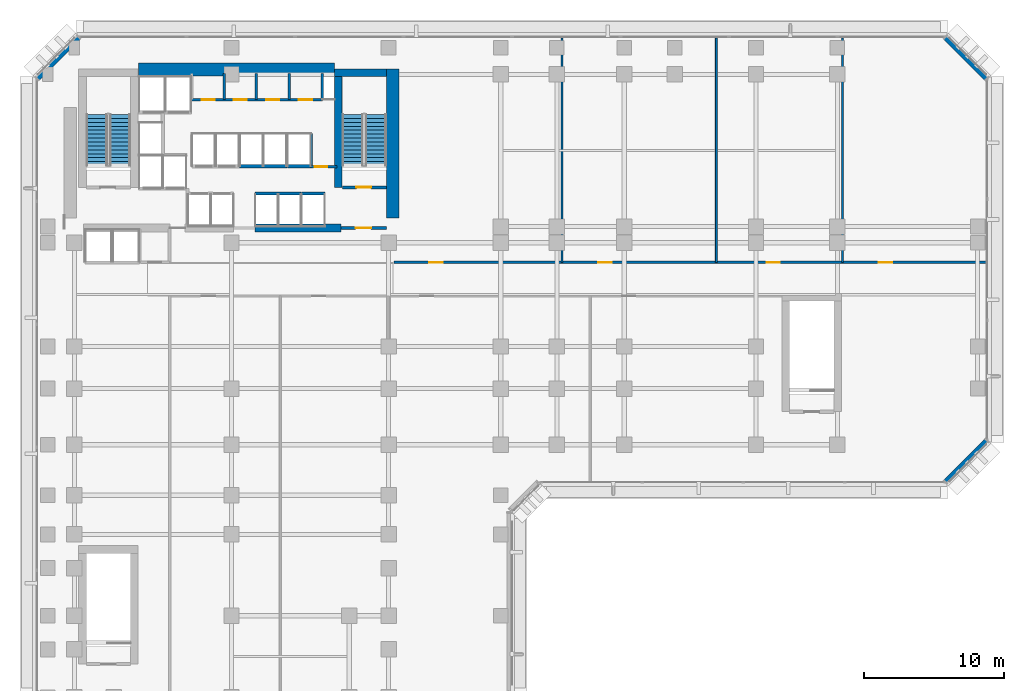
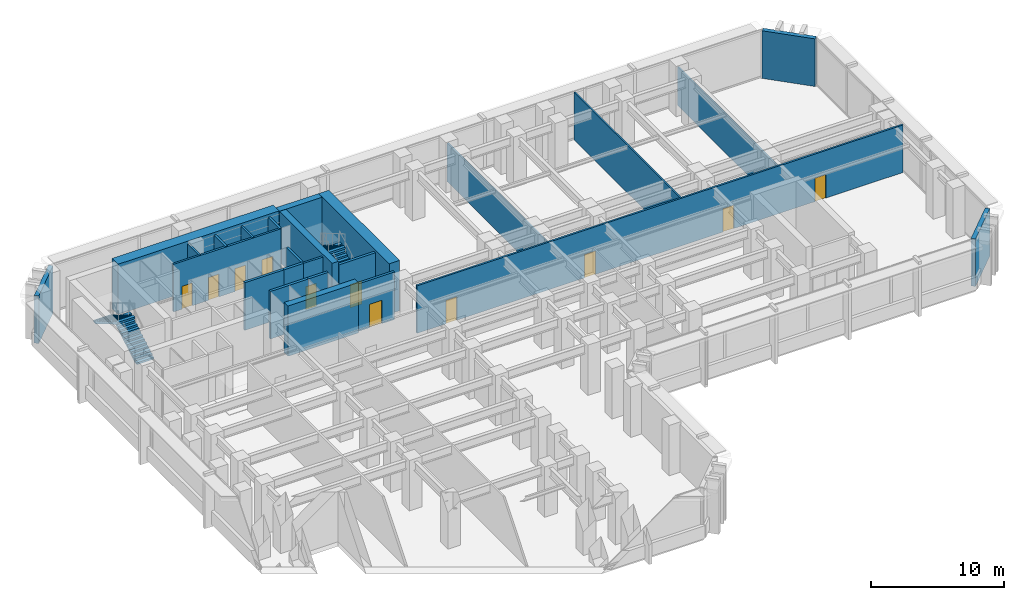
# One storey, part 8 of 14: 25 walls, 11 doors, 4 stair flights, 11 openings, 2 elements without a shape of their own.
"""IFC4 building model written with IfcOpenShell, lengths in metres."""

from ifc_helpers import new_model, si_unit, direction, frame, frame_2d, origin, place, context, subcontext, project, spatial, polyline, rectangle, outline, extrude, material, layer, layer_set, type_object, element, fill, aggregate, save


model = new_model("IFC4")

# Units and contexts
model_context = context("Model", 3, precision=1e-05, world=origin(), true_north=direction((0.0, 1.0)))
body_context = subcontext(model_context, "Body", "Model", "MODEL_VIEW")
ifc_project = project(units=[si_unit("LENGTHUNIT", "METRE"), si_unit("AREAUNIT", "SQUARE_METRE"), si_unit("VOLUMEUNIT", "CUBIC_METRE"), si_unit("PLANEANGLEUNIT", "RADIAN"), si_unit("MASSUNIT", "GRAM", prefix="KILO")], contexts=[model_context])

# Site, building, storey
site_placement = place(None, origin())
site = spatial("IfcSite", under=ifc_project, at=site_placement, CompositionType="ELEMENT")
building_placement = place(site_placement, origin())
building = spatial("IfcBuilding", under=site, at=building_placement, Name="Kefirva Bronze Tower", CompositionType="ELEMENT")
storey_placement = place(building_placement, frame((0.0, 0.0, 25.739990234375)))
storey = spatial("IfcBuildingStorey", under=building, at=storey_placement, Name="L05", CompositionType="ELEMENT", Elevation=25.739990234375)

# Walls
ifc_material_1 = material(Name="Gypsum acoustic partition")
ifc_layer_1 = layer(ifc_material_1, 0.1298828125, Name="Gypsum acoustic partition")
ifc_layer_set_1 = layer_set([ifc_layer_1], Name="Gypsum acoustic partition")
wall_type_1 = type_object("IfcWallType", Name="Acoustic Office Partition 130mm", PredefinedType="PARTITIONING", material=ifc_layer_set_1)
wall_1_placement = place(storey_placement, frame((35.570068359375, 31.800048828125, 0.0), z_axis=(0.0, 0.0, 1.0), x_axis=(0.0, 1.0, 0.0)))
element("IfcWall", 1, at=wall_1_placement, inside=storey, type_object=wall_type_1, Name="L05 Partition W-L05-NDV1", PredefinedType="PARTITIONING", context=body_context, shape_type="SweptSolid", body=[
    extrude(rectangle(XDim=16.010009765625, YDim=0.1298828125, at=frame_2d((8.0048828125, 0.0))), origin(), (0.0, 0.0, 1.0), 3.554931640625),
])
wall_2_placement = place(storey_placement, frame((46.570068359375, 31.800048828125, 0.0), z_axis=(0.0, 0.0, 1.0), x_axis=(0.0, 1.0, 0.0)))
element("IfcWall", 2, at=wall_2_placement, inside=storey, type_object=wall_type_1, Name="L05 Partition W-L05-NDV2", PredefinedType="PARTITIONING", context=body_context, shape_type="SweptSolid", body=[
    extrude(rectangle(XDim=16.010009765625, YDim=0.1298828125, at=frame_2d((8.0048828125, 0.0))), origin(), (0.0, 0.0, 1.0), 4.3701171875),
])
wall_3_placement = place(storey_placement, frame((55.570068359375, 31.800048828125, 0.0), z_axis=(0.0, 0.0, 1.0), x_axis=(0.0, 1.0, 0.0)))
element("IfcWall", 3, at=wall_3_placement, inside=storey, type_object=wall_type_1, Name="L05 Partition W-L05-NDV3", PredefinedType="PARTITIONING", context=body_context, shape_type="SweptSolid", body=[
    extrude(rectangle(XDim=16.010009765625, YDim=0.1298828125, at=frame_2d((8.0048828125, 0.0))), origin(), (0.0, 0.0, 1.0), 3.554931640625),
])

# Wall, opening, door
ifc_material_2 = material(Name="Gypsum fireboard shaftwall")
ifc_layer_2 = layer(ifc_material_2, 0.219970703125, Name="Gypsum fireboard shaftwall")
ifc_layer_set_2 = layer_set([ifc_layer_2], Name="Gypsum fireboard shaftwall")
wall_type_2 = type_object("IfcWallType", Name="Fire-Rated Shaft Enclosure Wall 220mm", PredefinedType="PARTITIONING", material=ifc_layer_set_2)
wall_4_placement = place(storey_placement, frame((19.89990234375, 37.14990234375, 0.0), z_axis=(0.0, 0.0, 1.0), x_axis=(1.0, 0.0, 0.0)))
wall_4 = element("IfcWall", 4, at=wall_4_placement, inside=storey, type_object=wall_type_2, Name="L05 Partition W-L05-ST2S", PredefinedType="PARTITIONING", context=body_context, shape_type="SweptSolid", body=[
    extrude(rectangle(XDim=3.150146484375, YDim=0.219970703125, at=frame_2d((1.5751953125, 0.0))), origin(), (0.0, 0.0, 1.0), 4.3701171875),
])
opening_1_placement = place(wall_4_placement, frame((2.050048828125, 0.0, 0.0), z_axis=(0.0, 0.0, 1.0), x_axis=(-1.0, 0.0, 0.0)))
opening_1 = element("IfcOpeningElement", 5, at=opening_1_placement, cuts=wall_4, Name="Opening L05-D003", PredefinedType="OPENING", context=body_context, shape_type="SweptSolid", body=[
    extrude(rectangle(XDim=1.050048828125, YDim=2.14990234375, at=frame_2d((0.52490234375, 1.074951171875))), frame((0.0, 0.1201171875, 0.0), z_axis=(0.0, -1.0, 0.0), x_axis=(1.0, 0.0, 0.0)), (0.0, 0.0, 1.0), 0.239990234375),
])
ifc_material_3 = material(Name="Painted galvanized steel", Category="steel")
door_type_1 = type_object("IfcDoorType", Name="Fire Stair Enclosure Door 1050x2150 FD90S", OperationType="NOTDEFINED", PredefinedType="DOOR", material=ifc_material_3)
door_1_placement = place(opening_1_placement, origin())
door_1 = element("IfcDoor", 6, at=door_1_placement, inside=storey, type_object=door_type_1, Name="Door L05-D003", OperationType="SINGLE_SWING_LEFT", OverallHeight=2.14990234375, OverallWidth=1.050048828125, PredefinedType="DOOR", context=body_context, shape_type="SweptSolid", body=[
    extrude(rectangle(XDim=1.050048828125, YDim=2.14990234375, at=frame_2d((0.52490234375, 1.074951171875))), frame((0.0, 0.02490234375, 0.0), z_axis=(0.0, -1.0, 0.0), x_axis=(1.0, 0.0, 0.0)), (0.0, 0.0, 1.0), 0.050048828125),
])
fill(opening_1, door_1)

# Walls
wall_5_placement = place(storey_placement, frame((17.679931640625, 38.64990234375, 0.0), z_axis=(0.0, 0.0, 1.0), x_axis=(0.0, 1.0, 0.0)))
element("IfcWall", 7, at=wall_5_placement, inside=storey, type_object=wall_type_2, Name="L05 Partition W-L05-HP2E", PredefinedType="PARTITIONING", context=body_context, shape_type="SweptSolid", body=[
    extrude(rectangle(XDim=2.35009765625, YDim=0.199951171875, at=frame_2d((1.175048828125, 0.0))), origin(), (0.0, 0.0, 1.0), 4.3701171875),
])
wall_6_placement = place(storey_placement, frame((13.679931640625, 36.699951171875, 0.0), z_axis=(0.0, 0.0, 1.0), x_axis=(1.0, 0.0, 0.0)))
element("IfcWall", 8, at=wall_6_placement, inside=storey, type_object=wall_type_2, Name="L05 Partition W-L05-MPS", PredefinedType="PARTITIONING", context=body_context, shape_type="SweptSolid", body=[
    extrude(rectangle(XDim=3.280029296875, YDim=0.219970703125, at=frame_2d((1.64013671875, 0.0))), origin(), (0.0, 0.0, 1.0), 4.3701171875),
])
wall_7_placement = place(storey_placement, frame((12.580078125, 38.64990234375, 0.0), z_axis=(0.0, 0.0, 1.0), x_axis=(1.0, 0.0, 0.0)))
element("IfcWall", 9, at=wall_7_placement, inside=storey, type_object=wall_type_2, Name="L05 Partition W-L05-MPN", PredefinedType="PARTITIONING", context=body_context, shape_type="SweptSolid", body=[
    extrude(rectangle(XDim=3.3798828125, YDim=0.219970703125, at=frame_2d((1.68994140625, 0.0))), origin(), (0.0, 0.0, 1.0), 4.3701171875),
])
wall_8_placement = place(storey_placement, frame((16.97998046875, 36.699951171875, 0.0), z_axis=(0.0, 0.0, 1.0), x_axis=(1.0, 0.0, 0.0)))
element("IfcWall", 10, at=wall_8_placement, inside=storey, type_object=wall_type_2, Name="L05 Partition W-L05-HPS", PredefinedType="PARTITIONING", context=body_context, shape_type="SweptSolid", body=[
    extrude(rectangle(XDim=1.699951171875, YDim=0.219970703125, at=frame_2d((0.85009765625, 0.0))), origin(), (0.0, 0.0, 1.0), 4.3701171875),
])
wall_9_placement = place(storey_placement, frame((15.97998046875, 38.64990234375, 0.0), z_axis=(0.0, 0.0, 1.0), x_axis=(1.0, 0.0, 0.0)))
element("IfcWall", 11, at=wall_9_placement, inside=storey, type_object=wall_type_2, Name="L05 Partition W-L05-HPN", PredefinedType="PARTITIONING", context=body_context, shape_type="SweptSolid", body=[
    extrude(rectangle(XDim=1.719970703125, YDim=0.219970703125, at=frame_2d((0.85986328125, 0.0))), origin(), (0.0, 0.0, 1.0), 4.3701171875),
])

# Wall, opening, door
ifc_material_4 = material(Name="Gypsum fireboard barrier")
ifc_layer_3 = layer(ifc_material_4, 0.199951171875, Name="Gypsum fireboard barrier")
ifc_layer_set_3 = layer_set([ifc_layer_3], Name="Gypsum fireboard barrier")
wall_type_3 = type_object("IfcWallType", Name="Firefighting Lobby Barrier Wall 200mm", PredefinedType="PARTITIONING", material=ifc_layer_set_3)
wall_10_placement = place(storey_placement, frame((19.800048828125, 34.25, 0.0), z_axis=(0.0, 0.0, 1.0), x_axis=(1.0, 0.0, 0.0)))
wall_10 = element("IfcWall", 12, at=wall_10_placement, inside=storey, type_object=wall_type_3, Name="L05 Partition W-L05-ST2F", PredefinedType="PARTITIONING", context=body_context, shape_type="SweptSolid", body=[
    extrude(rectangle(XDim=3.25, YDim=0.199951171875, at=frame_2d((1.625, 0.0))), origin(), (0.0, 0.0, 1.0), 4.3701171875),
])
opening_2_placement = place(wall_10_placement, frame((2.150146484375, 0.0, 0.0), z_axis=(0.0, 0.0, 1.0), x_axis=(-1.0, 0.0, 0.0)))
opening_2 = element("IfcOpeningElement", 13, at=opening_2_placement, cuts=wall_10, Name="Opening L05-D004", PredefinedType="OPENING", context=body_context, shape_type="SweptSolid", body=[
    extrude(rectangle(XDim=1.10009765625, YDim=2.14990234375, at=frame_2d((0.550048828125, 1.074951171875))), frame((0.0, 0.10986328125, 0.0), z_axis=(0.0, -1.0, 0.0), x_axis=(1.0, 0.0, 0.0)), (0.0, 0.0, 1.0), 0.219970703125),
])
door_type_2 = type_object("IfcDoorType", Name="Firefighting Lobby Smoke Door 1100x2150 FD60S", OperationType="NOTDEFINED", PredefinedType="DOOR", material=ifc_material_3)
door_2_placement = place(opening_2_placement, origin())
door_2 = element("IfcDoor", 14, at=door_2_placement, inside=storey, type_object=door_type_2, Name="Door L05-D004", OperationType="SINGLE_SWING_RIGHT", OverallHeight=2.14990234375, OverallWidth=1.10009765625, PredefinedType="DOOR", context=body_context, shape_type="SweptSolid", body=[
    extrude(rectangle(XDim=1.10009765625, YDim=2.14990234375, at=frame_2d((0.550048828125, 1.074951171875))), frame((0.0, 0.02490234375, 0.0), z_axis=(0.0, -1.0, 0.0), x_axis=(1.0, 0.0, 0.0)), (0.0, 0.0, 1.0), 0.050048828125),
])
fill(opening_2, door_2)

wall_11_placement = place(storey_placement, frame((17.679931640625, 38.6201171875, 0.0), z_axis=(0.0, 0.0, 1.0), x_axis=(1.0, 0.0, 0.0)))
wall_11 = element("IfcWall", 15, at=wall_11_placement, inside=storey, type_object=wall_type_3, Name="L05 Partition W-L05-CPASS", PredefinedType="PARTITIONING", context=body_context, shape_type="SweptSolid", body=[
    extrude(rectangle(XDim=1.840087890625, YDim=0.179931640625, at=frame_2d((0.919921875, 0.0))), origin(), (0.0, 0.0, 1.0), 4.3701171875),
])
opening_3_placement = place(wall_11_placement, frame((0.239990234375, 0.0, 0.0)))
opening_3 = element("IfcOpeningElement", 16, at=opening_3_placement, cuts=wall_11, Name="Opening L05-D-CPAS", PredefinedType="OPENING", context=body_context, shape_type="SweptSolid", body=[
    extrude(rectangle(XDim=0.919921875, YDim=2.10009765625, at=frame_2d((0.4599609375, 1.050048828125))), frame((0.0, 0.10009765625, 0.0), z_axis=(0.0, -1.0, 0.0), x_axis=(1.0, 0.0, 0.0)), (0.0, 0.0, 1.0), 0.199951171875),
])
ifc_material_5 = material(Name="Moisture-resistant timber", Category="wood")
door_type_3 = type_object("IfcDoorType", Name="Accessible Sanitary & WC Door 920x2100", OperationType="NOTDEFINED", PredefinedType="DOOR", material=ifc_material_5)
door_3_placement = place(opening_3_placement, origin())
door_3 = element("IfcDoor", 17, at=door_3_placement, inside=storey, type_object=door_type_3, Name="Door L05-D-CPAS", OperationType="SINGLE_SWING_LEFT", OverallHeight=2.10009765625, OverallWidth=0.919921875, PredefinedType="DOOR", context=body_context, shape_type="SweptSolid", body=[
    extrude(rectangle(XDim=0.919921875, YDim=2.10009765625, at=frame_2d((0.4599609375, 1.050048828125))), frame((0.0, 0.02490234375, 0.0), z_axis=(0.0, -1.0, 0.0), x_axis=(1.0, 0.0, 0.0)), (0.0, 0.0, 1.0), 0.050048828125),
])
fill(opening_3, door_3)

# Walls
ifc_material_6 = material(Name="Precast concrete C40/50", Category="concrete")
ifc_layer_4 = layer(ifc_material_6, 0.360107421875, Name="Precast concrete C40/50")
ifc_layer_set_4 = layer_set([ifc_layer_4], Name="Precast concrete C40/50")
wall_type_4 = type_object("IfcWallType", Name="Precast Podium Facade Wall 360mm", PredefinedType="SOLIDWALL", material=ifc_layer_set_4)
for number, where, z_axis, x_axis, name in (
    (18, (62.91162109375, 16.166259765625, 0.0), (0.0, 0.0, 1.0), (0.707106781187, 0.707106781187, 0.0), "L05 Exterior Facade Wall 4"),
    (19, (65.833740234375, 44.91162109375, 0.0), (0.0, 0.0, 1.0), (-0.707106781187, 0.707106781187, 0.0), "L05 Exterior Facade Wall 5"),
    (20, (1.08837890625, 47.833740234375, 0.0), (0.0, 0.0, 1.0), (-0.707106781187, -0.707106781187, 0.0), "L05 Exterior Facade Wall 6"),
):
    element("IfcWall", number, at=place(storey_placement, frame(where, z_axis=z_axis, x_axis=x_axis)), inside=storey, type_object=wall_type_4, Name=name, PredefinedType="SOLIDWALL", context=body_context, shape_type="SweptSolid", body=[
        extrude(rectangle(XDim=4.132568359375, YDim=0.360107421875, at=frame_2d((2.06640625, 0.0))), origin(), (0.0, 0.0, 1.0), 4.3701171875),
    ])

# Wall, openings, doors
ifc_layer_5 = layer(ifc_material_1, 0.159912109375, Name="Gypsum acoustic partition")
ifc_layer_set_5 = layer_set([ifc_layer_5], Name="Gypsum acoustic partition")
wall_type_5 = type_object("IfcWallType", Name="Protected Corridor Partition 160mm", PredefinedType="PARTITIONING", material=ifc_layer_set_5)
wall_12_placement = place(storey_placement, frame((23.60009765625, 31.800048828125, 0.0), z_axis=(0.0, 0.0, 1.0), x_axis=(1.0, 0.0, 0.0)))
wall_12 = element("IfcWall", 21, at=wall_12_placement, inside=storey, type_object=wall_type_5, Name="L05 Partition W-L05-N", PredefinedType="PARTITIONING", context=body_context, shape_type="SweptSolid", body=[
    extrude(rectangle(XDim=42.2099609375, YDim=0.159912109375, at=frame_2d((21.10498046875, 0.0))), origin(), (0.0, 0.0, 1.0), 4.3701171875),
])
opening_4_placement = place(wall_12_placement, frame((2.5, 0.0, 0.0)))
opening_4 = element("IfcOpeningElement", 22, at=opening_4_placement, cuts=wall_12, Name="Opening L05-D-N1", PredefinedType="OPENING", context=body_context, shape_type="SweptSolid", body=[
    extrude(rectangle(XDim=0.949951171875, YDim=2.14990234375, at=frame_2d((0.47509765625, 1.074951171875))), frame((0.0, 0.08984375, 0.0), z_axis=(0.0, -1.0, 0.0), x_axis=(1.0, 0.0, 0.0)), (0.0, 0.0, 1.0), 0.179931640625),
])
opening_5_placement = place(wall_12_placement, frame((14.550048828125, 0.0, 0.0)))
opening_5 = element("IfcOpeningElement", 23, at=opening_5_placement, cuts=wall_12, Name="Opening L05-D-N2", PredefinedType="OPENING", context=body_context, shape_type="SweptSolid", body=[
    extrude(rectangle(XDim=0.949951171875, YDim=2.14990234375, at=frame_2d((0.47509765625, 1.074951171875))), frame((0.0, 0.08984375, 0.0), z_axis=(0.0, -1.0, 0.0), x_axis=(1.0, 0.0, 0.0)), (0.0, 0.0, 1.0), 0.179931640625),
])
opening_6_placement = place(wall_12_placement, frame((26.550048828125, 0.0, 0.0)))
opening_6 = element("IfcOpeningElement", 24, at=opening_6_placement, cuts=wall_12, Name="Opening L05-D-N3", PredefinedType="OPENING", context=body_context, shape_type="SweptSolid", body=[
    extrude(rectangle(XDim=0.949951171875, YDim=2.14990234375, at=frame_2d((0.47509765625, 1.074951171875))), frame((0.0, 0.08984375, 0.0), z_axis=(0.0, -1.0, 0.0), x_axis=(1.0, 0.0, 0.0)), (0.0, 0.0, 1.0), 0.179931640625),
])
opening_7_placement = place(wall_12_placement, frame((34.550048828125, 0.0, 0.0)))
opening_7 = element("IfcOpeningElement", 25, at=opening_7_placement, cuts=wall_12, Name="Opening L05-D-N4", PredefinedType="OPENING", context=body_context, shape_type="SweptSolid", body=[
    extrude(rectangle(XDim=0.949951171875, YDim=2.14990234375, at=frame_2d((0.47509765625, 1.074951171875))), frame((0.0, 0.08984375, 0.0), z_axis=(0.0, -1.0, 0.0), x_axis=(1.0, 0.0, 0.0)), (0.0, 0.0, 1.0), 0.179931640625),
])
ifc_material_7 = material(Name="Acoustic hardwood oak", Category="wood")
door_type_4 = type_object("IfcDoorType", Name="Office & Meeting Room Door 950x2150", OperationType="NOTDEFINED", PredefinedType="DOOR", material=ifc_material_7)
door_4_placement = place(opening_4_placement, origin())
door_4 = element("IfcDoor", 26, at=door_4_placement, inside=storey, type_object=door_type_4, Name="Door L05-D-N1", OperationType="SINGLE_SWING_LEFT", OverallHeight=2.14990234375, OverallWidth=0.949951171875, PredefinedType="DOOR", context=body_context, shape_type="SweptSolid", body=[
    extrude(rectangle(XDim=0.949951171875, YDim=2.14990234375, at=frame_2d((0.47509765625, 1.074951171875))), frame((0.0, 0.02490234375, 0.0), z_axis=(0.0, -1.0, 0.0), x_axis=(1.0, 0.0, 0.0)), (0.0, 0.0, 1.0), 0.050048828125),
])
fill(opening_4, door_4)
door_5_placement = place(opening_5_placement, origin())
door_5 = element("IfcDoor", 27, at=door_5_placement, inside=storey, type_object=door_type_4, Name="Door L05-D-N2", OperationType="SINGLE_SWING_RIGHT", OverallHeight=2.14990234375, OverallWidth=0.949951171875, PredefinedType="DOOR", context=body_context, shape_type="SweptSolid", body=[
    extrude(rectangle(XDim=0.949951171875, YDim=2.14990234375, at=frame_2d((0.47509765625, 1.074951171875))), frame((0.0, 0.02490234375, 0.0), z_axis=(0.0, -1.0, 0.0), x_axis=(1.0, 0.0, 0.0)), (0.0, 0.0, 1.0), 0.050048828125),
])
fill(opening_5, door_5)
door_6_placement = place(opening_6_placement, origin())
door_6 = element("IfcDoor", 28, at=door_6_placement, inside=storey, type_object=door_type_4, Name="Door L05-D-N3", OperationType="SINGLE_SWING_LEFT", OverallHeight=2.14990234375, OverallWidth=0.949951171875, PredefinedType="DOOR", context=body_context, shape_type="SweptSolid", body=[
    extrude(rectangle(XDim=0.949951171875, YDim=2.14990234375, at=frame_2d((0.47509765625, 1.074951171875))), frame((0.0, 0.02490234375, 0.0), z_axis=(0.0, -1.0, 0.0), x_axis=(1.0, 0.0, 0.0)), (0.0, 0.0, 1.0), 0.050048828125),
])
fill(opening_6, door_6)
door_7_placement = place(opening_7_placement, origin())
door_7 = element("IfcDoor", 29, at=door_7_placement, inside=storey, type_object=door_type_4, Name="Door L05-D-N4", OperationType="SINGLE_SWING_RIGHT", OverallHeight=2.14990234375, OverallWidth=0.949951171875, PredefinedType="DOOR", context=body_context, shape_type="SweptSolid", body=[
    extrude(rectangle(XDim=0.949951171875, YDim=2.14990234375, at=frame_2d((0.47509765625, 1.074951171875))), frame((0.0, 0.02490234375, 0.0), z_axis=(0.0, -1.0, 0.0), x_axis=(1.0, 0.0, 0.0)), (0.0, 0.0, 1.0), 0.050048828125),
])
fill(opening_7, door_7)

# Walls
ifc_material_8 = material(Name="Concrete C50/60", Category="concrete")
ifc_layer_6 = layer(ifc_material_8, 0.550048828125, Name="Concrete C50/60")
ifc_layer_set_6 = layer_set([ifc_layer_6], Name="Concrete C50/60")
wall_type_6 = type_object("IfcWallType", Name="RC Rear Core Interior Wall 550mm", PredefinedType="SHEAR", material=ifc_layer_set_6)
wall_13_placement = place(storey_placement, frame((19.6201171875, 37.14990234375, 0.0), z_axis=(0.0, 0.0, 1.0), x_axis=(0.0, 1.0, 0.0)))
element("IfcWall", 30, at=wall_13_placement, inside=storey, type_object=wall_type_6, Name="L05 Stair 2 West Shear Wall", PredefinedType="SHEAR", context=body_context, shape_type="SweptSolid", body=[
    extrude(rectangle(XDim=7.89013671875, YDim=0.550048828125, at=frame_2d((3.945068359375, 0.0))), origin(), (0.0, 0.0, 1.0), 4.6201171875),
])
wall_14_placement = place(storey_placement, frame((19.35009765625, 45.320068359375, 0.0), z_axis=(0.0, 0.0, 1.0), x_axis=(1.0, 0.0, 0.0)))
element("IfcWall", 31, at=wall_14_placement, inside=storey, type_object=wall_type_6, Name="L05 Stair 2 North Shear Wall", PredefinedType="SHEAR", context=body_context, shape_type="SweptSolid", body=[
    extrude(rectangle(XDim=3.68994140625, YDim=0.550048828125, at=frame_2d((1.844970703125, 0.0))), origin(), (0.0, 0.0, 1.0), 4.6201171875),
])
ifc_material_9 = material(Name="Concrete C60/75", Category="concrete")
ifc_layer_7 = layer(ifc_material_9, 0.89990234375, Name="Concrete C60/75")
ifc_layer_set_7 = layer_set([ifc_layer_7], Name="Concrete C60/75")
wall_type_7 = type_object("IfcWallType", Name="RC Rear Core Interior Wall 900mm", PredefinedType="SHEAR", material=ifc_layer_set_7)
wall_15_placement = place(storey_placement, frame((5.360107421875, 45.550048828125, 0.0), z_axis=(0.0, 0.0, 1.0), x_axis=(1.0, 0.0, 0.0)))
element("IfcWall", 32, at=wall_15_placement, inside=storey, type_object=wall_type_7, Name="L05 Rear Core North Shear Wall", PredefinedType="SHEAR", context=body_context, shape_type="SweptSolid", body=[
    extrude(rectangle(XDim=13.97998046875, YDim=0.89990234375, at=frame_2d((6.989990234375, 0.0))), origin(), (0.0, 0.0, 1.0), 4.6201171875),
])
wall_16_placement = place(storey_placement, frame((23.5, 34.949951171875, 0.0), z_axis=(0.0, 0.0, 1.0), x_axis=(0.0, 1.0, 0.0)))
element("IfcWall", 33, at=wall_16_placement, inside=storey, type_object=wall_type_7, Name="L05 Rear Core East Shear Wall", PredefinedType="SHEAR", context=body_context, shape_type="SweptSolid", body=[
    extrude(rectangle(XDim=10.64013671875, YDim=0.89990234375, at=frame_2d((5.320068359375, 0.0))), origin(), (0.0, 0.0, 1.0), 4.6201171875),
])
wall_17_placement = place(storey_placement, frame((13.679931640625, 34.25, 0.0), z_axis=(0.0, 0.0, 1.0), x_axis=(1.0, 0.0, 0.0)))
element("IfcWall", 34, at=wall_17_placement, inside=storey, type_object=wall_type_7, Name="L05 Rear Core South-East Shear Wall", PredefinedType="SHEAR", context=body_context, shape_type="SweptSolid", body=[
    extrude(rectangle(XDim=6.1201171875, YDim=0.550048828125, at=frame_2d((3.06005859375, 0.0))), origin(), (0.0, 0.0, 1.0), 4.6201171875),
])

# Wall, openings, doors
ifc_material_10 = material(Name="Moisture-resistant partition")
ifc_layer_8 = layer(ifc_material_10, 0.179931640625, Name="Moisture-resistant partition")
ifc_layer_set_8 = layer_set([ifc_layer_8], Name="Moisture-resistant partition")
wall_type_8 = type_object("IfcWallType", Name="Sanitary Plumbing Chase Wall 180mm", PredefinedType="PLUMBINGWALL", material=ifc_layer_set_8)
wall_18_placement = place(storey_placement, frame((9.14990234375, 43.39990234375, 0.0), z_axis=(0.0, 0.0, 1.0), x_axis=(1.0, 0.0, 0.0)))
wall_18 = element("IfcWall", 35, at=wall_18_placement, inside=storey, type_object=wall_type_8, Name="L05 Partition W-L05-SVCS", PredefinedType="PLUMBINGWALL", context=body_context, shape_type="SweptSolid", body=[
    extrude(rectangle(XDim=9.330078125, YDim=0.179931640625, at=frame_2d((4.6650390625, 0.0))), origin(), (0.0, 0.0, 1.0), 4.3701171875),
])
opening_8_placement = place(wall_18_placement, frame((0.719970703125, 0.0, 0.0)))
opening_8 = element("IfcOpeningElement", 36, at=opening_8_placement, cuts=wall_18, Name="Opening L05-D-CSVC1", PredefinedType="OPENING", context=body_context, shape_type="SweptSolid", body=[
    extrude(rectangle(XDim=0.919921875, YDim=2.10009765625, at=frame_2d((0.4599609375, 1.050048828125))), frame((0.0, 0.10009765625, 0.0), z_axis=(0.0, -1.0, 0.0), x_axis=(1.0, 0.0, 0.0)), (0.0, 0.0, 1.0), 0.199951171875),
])
opening_9_placement = place(wall_18_placement, frame((3.02001953125, 0.0, 0.0)))
opening_9 = element("IfcOpeningElement", 37, at=opening_9_placement, cuts=wall_18, Name="Opening L05-D-CSVC2", PredefinedType="OPENING", context=body_context, shape_type="SweptSolid", body=[
    extrude(rectangle(XDim=0.919921875, YDim=2.10009765625, at=frame_2d((0.4599609375, 1.050048828125))), frame((0.0, 0.10009765625, 0.0), z_axis=(0.0, -1.0, 0.0), x_axis=(1.0, 0.0, 0.0)), (0.0, 0.0, 1.0), 0.199951171875),
])
opening_10_placement = place(wall_18_placement, frame((5.340087890625, 0.0, 0.0)))
opening_10 = element("IfcOpeningElement", 38, at=opening_10_placement, cuts=wall_18, Name="Opening L05-D-CSVC3", PredefinedType="OPENING", context=body_context, shape_type="SweptSolid", body=[
    extrude(rectangle(XDim=0.919921875, YDim=2.10009765625, at=frame_2d((0.4599609375, 1.050048828125))), frame((0.0, 0.10009765625, 0.0), z_axis=(0.0, -1.0, 0.0), x_axis=(1.0, 0.0, 0.0)), (0.0, 0.0, 1.0), 0.199951171875),
])
opening_11_placement = place(wall_18_placement, frame((7.659912109375, 0.0, 0.0)))
opening_11 = element("IfcOpeningElement", 39, at=opening_11_placement, cuts=wall_18, Name="Opening L05-D-CSVC4", PredefinedType="OPENING", context=body_context, shape_type="SweptSolid", body=[
    extrude(rectangle(XDim=0.949951171875, YDim=2.10009765625, at=frame_2d((0.47509765625, 1.050048828125))), frame((0.0, 0.10009765625, 0.0), z_axis=(0.0, -1.0, 0.0), x_axis=(1.0, 0.0, 0.0)), (0.0, 0.0, 1.0), 0.199951171875),
])
door_8_placement = place(opening_8_placement, origin())
door_8 = element("IfcDoor", 40, at=door_8_placement, inside=storey, type_object=door_type_3, Name="Door L05-D-CSVC1", OperationType="SINGLE_SWING_LEFT", OverallHeight=2.10009765625, OverallWidth=0.919921875, PredefinedType="DOOR", context=body_context, shape_type="SweptSolid", body=[
    extrude(rectangle(XDim=0.919921875, YDim=2.10009765625, at=frame_2d((0.4599609375, 1.050048828125))), frame((0.0, 0.02490234375, 0.0), z_axis=(0.0, -1.0, 0.0), x_axis=(1.0, 0.0, 0.0)), (0.0, 0.0, 1.0), 0.050048828125),
])
fill(opening_8, door_8)
door_9_placement = place(opening_9_placement, origin())
door_9 = element("IfcDoor", 41, at=door_9_placement, inside=storey, type_object=door_type_3, Name="Door L05-D-CSVC2", OperationType="SINGLE_SWING_RIGHT", OverallHeight=2.10009765625, OverallWidth=0.919921875, PredefinedType="DOOR", context=body_context, shape_type="SweptSolid", body=[
    extrude(rectangle(XDim=0.919921875, YDim=2.10009765625, at=frame_2d((0.4599609375, 1.050048828125))), frame((0.0, 0.02490234375, 0.0), z_axis=(0.0, -1.0, 0.0), x_axis=(1.0, 0.0, 0.0)), (0.0, 0.0, 1.0), 0.050048828125),
])
fill(opening_9, door_9)
door_10_placement = place(opening_10_placement, origin())
door_10 = element("IfcDoor", 42, at=door_10_placement, inside=storey, type_object=door_type_3, Name="Door L05-D-CSVC3", OperationType="SINGLE_SWING_LEFT", OverallHeight=2.10009765625, OverallWidth=0.919921875, PredefinedType="DOOR", context=body_context, shape_type="SweptSolid", body=[
    extrude(rectangle(XDim=0.919921875, YDim=2.10009765625, at=frame_2d((0.4599609375, 1.050048828125))), frame((0.0, 0.02490234375, 0.0), z_axis=(0.0, -1.0, 0.0), x_axis=(1.0, 0.0, 0.0)), (0.0, 0.0, 1.0), 0.050048828125),
])
fill(opening_10, door_10)
door_type_5 = type_object("IfcDoorType", Name="Riser & Plant Shaft Fire Door 950x2100 FD60S", OperationType="NOTDEFINED", PredefinedType="DOOR", material=ifc_material_3)
door_11_placement = place(opening_11_placement, origin())
door_11 = element("IfcDoor", 43, at=door_11_placement, inside=storey, type_object=door_type_5, Name="Door L05-D-CSVC4", OperationType="SINGLE_SWING_RIGHT", OverallHeight=2.10009765625, OverallWidth=0.949951171875, PredefinedType="DOOR", context=body_context, shape_type="SweptSolid", body=[
    extrude(rectangle(XDim=0.949951171875, YDim=2.10009765625, at=frame_2d((0.47509765625, 1.050048828125))), frame((0.0, 0.02490234375, 0.0), z_axis=(0.0, -1.0, 0.0), x_axis=(1.0, 0.0, 0.0)), (0.0, 0.0, 1.0), 0.050048828125),
])
fill(opening_11, door_11)

# Walls
for number, where, z_axis, x_axis, name in (
    (44, (18.47998046875, 43.39990234375, 0.0), (0.0, 0.0, 1.0), (0.0, 1.0, 0.0), "L05 Partition W-L05-SVCE"),
    (45, (11.47998046875, 43.39990234375, 0.0), (0.0, 0.0, 1.0), (0.0, 1.0, 0.0), "L05 Partition W-L05-CSVD-1"),
    (46, (13.780029296875, 43.39990234375, 0.0), (0.0, 0.0, 1.0), (0.0, 1.0, 0.0), "L05 Partition W-L05-CSVD-2"),
    (47, (16.1201171875, 43.39990234375, 0.0), (0.0, 0.0, 1.0), (0.0, 1.0, 0.0), "L05 Partition W-L05-CSVD-3"),
):
    element("IfcWall", number, at=place(storey_placement, frame(where, z_axis=z_axis, x_axis=x_axis)), inside=storey, type_object=wall_type_8, Name=name, PredefinedType="PLUMBINGWALL", context=body_context, shape_type="SweptSolid", body=[
        extrude(rectangle(XDim=1.880126953125, YDim=0.179931640625, at=frame_2d((0.93994140625, 0.0))), origin(), (0.0, 0.0, 1.0), 4.3701171875),
    ])

# Stair, stair flights
ifc_material_11 = material(Name="Concrete C40/50", Category="concrete")
stair_type = type_object("IfcStairType", Name="RC Dogleg Protected Stair 28R", PredefinedType="HALF_TURN_STAIR", material=ifc_material_11)
stair_1_placement = place(storey_placement, origin())
stair_1 = element("IfcStair", 48, at=stair_1_placement, inside=storey, type_object=stair_type, Name="L05 Protected Exit Stair 1", PredefinedType="HALF_TURN_STAIR")
stair_flight_type = type_object("IfcStairFlightType", Name="RC Straight Stair Flight 28R", PredefinedType="STRAIGHT", material=ifc_material_11)
stair_flight_1_placement = place(storey_placement, frame((4.050048828125, 38.699951171875, 0.0), z_axis=(0.0, 0.0, 1.0), x_axis=(0.0, 1.0, 0.0)))
stair_flight_1 = element("IfcStairFlight", 49, at=stair_flight_1_placement, type_object=stair_flight_type, Name="ST-1 flight 1", NumberOfRisers=14, NumberOfTreads=13, PredefinedType="STRAIGHT", RiserHeight=0.165, TreadLength=0.28, context=body_context, shape_type="SweptSolid", body=[
    extrude(outline(polyline([(0.0, 0.0), (0.0, 0.1650390625), (0.280029296875, 0.1650390625), (0.280029296875, 0.330078125), (0.56005859375, 0.330078125), (0.56005859375, 0.4951171875), (0.840087890625, 0.4951171875), (0.840087890625, 0.659912109375), (1.1201171875, 0.659912109375), (1.1201171875, 0.824951171875), (1.39990234375, 0.824951171875), (1.39990234375, 0.989990234375), (1.679931640625, 0.989990234375), (1.679931640625, 1.155029296875), (1.9599609375, 1.155029296875), (1.9599609375, 1.320068359375), (2.239990234375, 1.320068359375), (2.239990234375, 1.485107421875), (2.52001953125, 1.485107421875), (2.52001953125, 1.64990234375), (2.800048828125, 1.64990234375), (2.800048828125, 1.81494140625), (3.080078125, 1.81494140625), (3.080078125, 1.97998046875), (3.360107421875, 1.97998046875), (3.360107421875, 2.14501953125), (3.639892578125, 2.14501953125), (3.639892578125, 2.31005859375), (3.639892578125, 1.970947265625), (0.295166015625, 0.0), (0.0, 0.0)])), frame((0.0, 0.75, 0.0), z_axis=(0.0, -1.0, 0.0), x_axis=(1.0, 0.0, 0.0)), (0.0, 0.0, 1.0), 1.5),
])
stair_flight_2_placement = place(storey_placement, frame((2.39990234375, 42.340087890625, 2.31005859375), z_axis=(0.0, 0.0, 1.0), x_axis=(0.0, -1.0, 0.0)))
stair_flight_2 = element("IfcStairFlight", 50, at=stair_flight_2_placement, type_object=stair_flight_type, Name="ST-1 flight 2", NumberOfRisers=14, NumberOfTreads=13, PredefinedType="STRAIGHT", RiserHeight=0.165, TreadLength=0.28, context=body_context, shape_type="SweptSolid", body=[
    extrude(outline(polyline([(0.0, 0.0), (0.0, 0.1650390625), (0.280029296875, 0.1650390625), (0.280029296875, 0.330078125), (0.56005859375, 0.330078125), (0.56005859375, 0.4951171875), (0.840087890625, 0.4951171875), (0.840087890625, 0.659912109375), (1.1201171875, 0.659912109375), (1.1201171875, 0.824951171875), (1.39990234375, 0.824951171875), (1.39990234375, 0.989990234375), (1.679931640625, 0.989990234375), (1.679931640625, 1.155029296875), (1.9599609375, 1.155029296875), (1.9599609375, 1.320068359375), (2.239990234375, 1.320068359375), (2.239990234375, 1.485107421875), (2.52001953125, 1.485107421875), (2.52001953125, 1.64990234375), (2.800048828125, 1.64990234375), (2.800048828125, 1.81494140625), (3.080078125, 1.81494140625), (3.080078125, 1.97998046875), (3.360107421875, 1.97998046875), (3.360107421875, 2.14501953125), (3.639892578125, 2.14501953125), (3.639892578125, 2.31005859375), (3.639892578125, 1.970947265625), (0.295166015625, 0.0), (0.0, 0.0)])), frame((0.0, 0.75, 0.0), z_axis=(0.0, -1.0, 0.0), x_axis=(1.0, 0.0, 0.0)), (0.0, 0.0, 1.0), 1.5),
])
aggregate(stair_1, [stair_flight_1, stair_flight_2])

stair_2_placement = place(storey_placement, origin())
stair_2 = element("IfcStair", 51, at=stair_2_placement, inside=storey, type_object=stair_type, Name="L05 Protected Exit Stair 2", PredefinedType="HALF_TURN_STAIR")
stair_flight_3_placement = place(storey_placement, frame((22.300048828125, 38.699951171875, 0.0), z_axis=(0.0, 0.0, 1.0), x_axis=(0.0, 1.0, 0.0)))
stair_flight_3 = element("IfcStairFlight", 52, at=stair_flight_3_placement, type_object=stair_flight_type, Name="ST-2 flight 1", NumberOfRisers=14, NumberOfTreads=13, PredefinedType="STRAIGHT", RiserHeight=0.165, TreadLength=0.28, context=body_context, shape_type="SweptSolid", body=[
    extrude(outline(polyline([(0.0, 0.0), (0.0, 0.1650390625), (0.280029296875, 0.1650390625), (0.280029296875, 0.330078125), (0.56005859375, 0.330078125), (0.56005859375, 0.4951171875), (0.840087890625, 0.4951171875), (0.840087890625, 0.659912109375), (1.1201171875, 0.659912109375), (1.1201171875, 0.824951171875), (1.39990234375, 0.824951171875), (1.39990234375, 0.989990234375), (1.679931640625, 0.989990234375), (1.679931640625, 1.155029296875), (1.9599609375, 1.155029296875), (1.9599609375, 1.320068359375), (2.239990234375, 1.320068359375), (2.239990234375, 1.485107421875), (2.52001953125, 1.485107421875), (2.52001953125, 1.64990234375), (2.800048828125, 1.64990234375), (2.800048828125, 1.81494140625), (3.080078125, 1.81494140625), (3.080078125, 1.97998046875), (3.360107421875, 1.97998046875), (3.360107421875, 2.14501953125), (3.639892578125, 2.14501953125), (3.639892578125, 2.31005859375), (3.639892578125, 1.970947265625), (0.295166015625, 0.0), (0.0, 0.0)])), frame((0.0, 0.75, 0.0), z_axis=(0.0, -1.0, 0.0), x_axis=(1.0, 0.0, 0.0)), (0.0, 0.0, 1.0), 1.5),
])
stair_flight_4_placement = place(storey_placement, frame((20.64990234375, 42.340087890625, 2.31005859375), z_axis=(0.0, 0.0, 1.0), x_axis=(0.0, -1.0, 0.0)))
stair_flight_4 = element("IfcStairFlight", 53, at=stair_flight_4_placement, type_object=stair_flight_type, Name="ST-2 flight 2", NumberOfRisers=14, NumberOfTreads=13, PredefinedType="STRAIGHT", RiserHeight=0.165, TreadLength=0.28, context=body_context, shape_type="SweptSolid", body=[
    extrude(outline(polyline([(0.0, 0.0), (0.0, 0.1650390625), (0.280029296875, 0.1650390625), (0.280029296875, 0.330078125), (0.56005859375, 0.330078125), (0.56005859375, 0.4951171875), (0.840087890625, 0.4951171875), (0.840087890625, 0.659912109375), (1.1201171875, 0.659912109375), (1.1201171875, 0.824951171875), (1.39990234375, 0.824951171875), (1.39990234375, 0.989990234375), (1.679931640625, 0.989990234375), (1.679931640625, 1.155029296875), (1.9599609375, 1.155029296875), (1.9599609375, 1.320068359375), (2.239990234375, 1.320068359375), (2.239990234375, 1.485107421875), (2.52001953125, 1.485107421875), (2.52001953125, 1.64990234375), (2.800048828125, 1.64990234375), (2.800048828125, 1.81494140625), (3.080078125, 1.81494140625), (3.080078125, 1.97998046875), (3.360107421875, 1.97998046875), (3.360107421875, 2.14501953125), (3.639892578125, 2.14501953125), (3.639892578125, 2.31005859375), (3.639892578125, 1.970947265625), (0.295166015625, 0.0), (0.0, 0.0)])), frame((0.0, 0.75, 0.0), z_axis=(0.0, -1.0, 0.0), x_axis=(1.0, 0.0, 0.0)), (0.0, 0.0, 1.0), 1.5),
])
aggregate(stair_2, [stair_flight_3, stair_flight_4])

save(model, "model.ifc")
